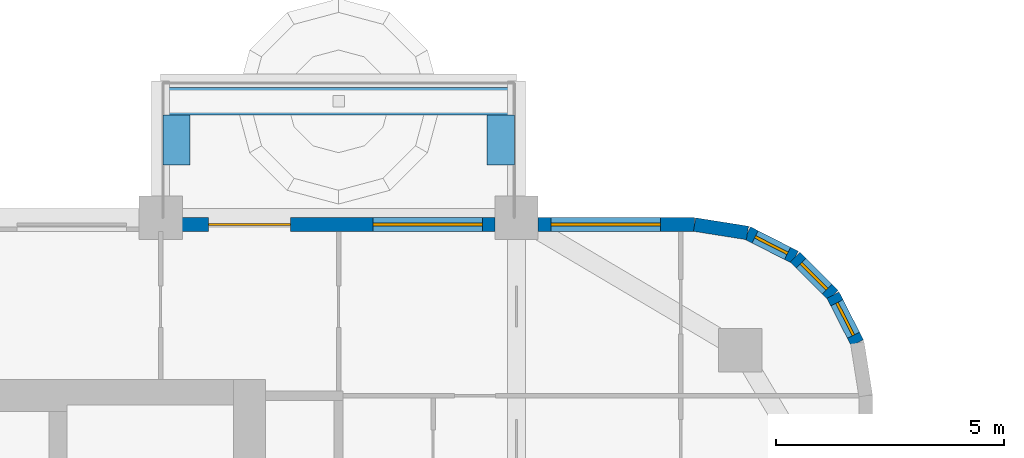
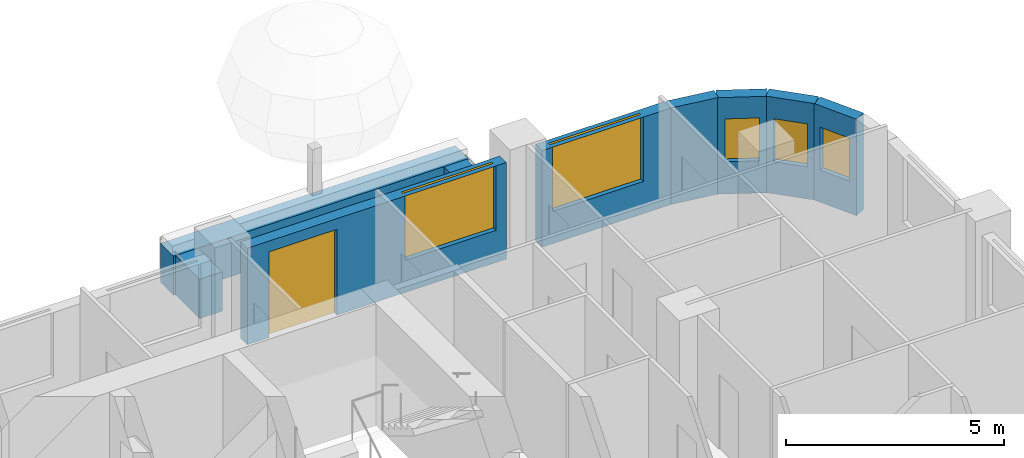
# One storey, part 14 of 19: 9 walls, 5 windows, 1 door, 6 openings.
"""IFC4 building model written with IfcOpenShell, lengths in metres."""

from ifc_helpers import new_model, si_unit, direction, frame, frame_2d, origin, place, context, subcontext, project, spatial, rectangle, extrude, material, layer, layer_set, type_object, element, fill, save


model = new_model("IFC4")

# Units and contexts
model_context = context("Model", 3, precision=1e-05, world=origin(), true_north=direction((0.0, 1.0)))
body_context = subcontext(model_context, "Body", "Model", "MODEL_VIEW")
ifc_project = project(units=[si_unit("LENGTHUNIT", "METRE"), si_unit("AREAUNIT", "SQUARE_METRE"), si_unit("VOLUMEUNIT", "CUBIC_METRE"), si_unit("PLANEANGLEUNIT", "RADIAN"), si_unit("MASSUNIT", "GRAM", prefix="KILO")], contexts=[model_context])

# Site, building, storey
site_placement = place(None, origin())
site = spatial("IfcSite", under=ifc_project, at=site_placement, CompositionType="ELEMENT")
building_placement = place(site_placement, origin())
building = spatial("IfcBuilding", under=site, at=building_placement, Name="Ludao Terraces", CompositionType="ELEMENT")
storey_placement = place(building_placement, frame((0.0, 0.0, 68.199951171875)))
storey = spatial("IfcBuildingStorey", under=building, at=storey_placement, Name="L18", CompositionType="ELEMENT", Elevation=68.199951171875)

# Walls
ifc_material_1 = material(Name="Concrete C40", Category="concrete")
ifc_layer_1 = layer(ifc_material_1, 0.60009765625)
ifc_layer_set_1 = layer_set([ifc_layer_1], Name="ENV Planter trough 600")
wall_type_1 = type_object("IfcWallType", Name="ENV Planter trough 600", PredefinedType="USERDEFINED", material=ifc_layer_set_1)
wall_1_placement = place(storey_placement, frame((92.800048828125, 90.949951171875, 0.0), z_axis=(0.0, 0.0, 1.0), x_axis=(1.0, 0.0, 0.0)))
element("IfcWall", 1, at=wall_1_placement, inside=storey, type_object=wall_type_1, Name="PL-L18-N4", ObjectType="PLANTER", PredefinedType="USERDEFINED", context=body_context, shape_type="SweptSolid", body=[
    extrude(rectangle(XDim=7.800048828125, YDim=0.60009765625, at=frame_2d((3.89990234375, 0.0))), origin(), (0.0, 0.0, 1.0), 1.10009765625),
])
for number, where, z_axis, x_axis, name in (
    (2, (93.14990234375, 90.64990234375, 0.0), (0.0, 0.0, 1.0), (0.0, -1.0, 0.0), "PL-L18-N4-SA"),
    (3, (100.25, 90.64990234375, 0.0), (0.0, 0.0, 1.0), (0.0, -1.0, 0.0), "PL-L18-N4-SB"),
):
    element("IfcWall", number, at=place(storey_placement, frame(where, z_axis=z_axis, x_axis=x_axis)), inside=storey, type_object=wall_type_1, Name=name, ObjectType="PLANTER", PredefinedType="USERDEFINED", context=body_context, shape_type="SweptSolid", body=[
        extrude(rectangle(XDim=1.099853515625, YDim=0.60009765625, at=frame_2d((0.5498046875, 0.0))), origin(), (0.0, 0.0, 1.0), 1.10009765625),
    ])

# Wall, openings, door, window
ifc_material_2 = material(Name="Granite cladding", Category="masonry")
ifc_layer_2 = layer(ifc_material_2, 0.0400390625, Category="stone")
ifc_material_3 = material(Name="Mineral wool")
ifc_layer_3 = layer(ifc_material_3, 0.06005859375)
ifc_layer_4 = layer(ifc_material_1, 0.199951171875, Category="concrete")
ifc_layer_set_2 = layer_set([ifc_layer_2, ifc_layer_3, ifc_layer_4], Name="ENV Stone-clad wall 300")
wall_type_2 = type_object("IfcWallType", Name="ENV Stone-clad wall 300", PredefinedType="SOLIDWALL", material=ifc_layer_set_2)
wall_2_placement = place(storey_placement, frame((93.27490234375, 88.25, 0.0), z_axis=(0.0, 0.0, 1.0), x_axis=(1.0, 0.0, 0.0)))
wall_2 = element("IfcWall", 4, at=wall_2_placement, inside=storey, type_object=wall_type_2, Name="EW-L18-N5", PredefinedType="SOLIDWALL", context=body_context, shape_type="SweptSolid", body=[
    extrude(rectangle(XDim=6.85009765625, YDim=0.300048828125, at=frame_2d((3.425048828125, 0.0))), origin(), (0.0, 0.0, 1.0), 2.699951171875),
])
opening_1_placement = place(wall_2_placement, frame((0.574951171875, 0.0, 0.0)))
opening_1 = element("IfcOpeningElement", 5, at=opening_1_placement, cuts=wall_2, Name="Opening BD", PredefinedType="OPENING", context=body_context, shape_type="SweptSolid", body=[
    extrude(rectangle(XDim=1.800048828125, YDim=2.39990234375, at=frame_2d((0.89990234375, 1.199951171875))), frame((0.0, 0.16015625, 0.0), z_axis=(0.0, -1.0, 0.0), x_axis=(1.0, 0.0, 0.0)), (0.0, 0.0, 1.0), 0.320068359375),
])
opening_2_placement = place(wall_2_placement, frame((4.175048828125, 0.0, 0.89990234375)))
opening_2 = element("IfcOpeningElement", 6, at=opening_2_placement, cuts=wall_2, Name="Opening W1", PredefinedType="OPENING", context=body_context, shape_type="SweptSolid", body=[
    extrude(rectangle(XDim=2.39990234375, YDim=1.800048828125, at=frame_2d((1.199951171875, 0.89990234375))), frame((0.0, 0.16015625, 0.0), z_axis=(0.0, -1.0, 0.0), x_axis=(1.0, 0.0, 0.0)), (0.0, 0.0, 1.0), 0.320068359375),
])
ifc_material_4 = material(Name="Aluminium glazed door", Category="aluminium")
ifc_layer_5 = layer(ifc_material_4, 0.06005859375)
ifc_layer_set_3 = layer_set([ifc_layer_5], Name="ENV Balcony door BD 1800x2400")
door_type = type_object("IfcDoorType", Name="ENV Balcony door BD 1800x2400", OperationType="DOUBLE_DOOR_SINGLE_SWING", PredefinedType="DOOR", material=ifc_layer_set_3)
door_placement = place(opening_1_placement, origin())
door = element("IfcDoor", 7, at=door_placement, inside=storey, type_object=door_type, Name="BD-L18-N5-1", OperationType="DOUBLE_DOOR_SINGLE_SWING", OverallHeight=2.39990234375, OverallWidth=1.800048828125, PredefinedType="DOOR", context=body_context, shape_type="SweptSolid", body=[
    extrude(rectangle(XDim=1.800048828125, YDim=2.39990234375, at=frame_2d((0.89990234375, 1.199951171875))), frame((0.0, 0.02490234375, 0.0), z_axis=(0.0, -1.0, 0.0), x_axis=(1.0, 0.0, 0.0)), (0.0, 0.0, 1.0), 0.050048828125),
])
fill(opening_1, door)
ifc_material_5 = material(Name="Clear glass in aluminium frame", Category="aluminium")
ifc_layer_6 = layer(ifc_material_5, 0.06005859375)
ifc_layer_set_4 = layer_set([ifc_layer_6], Name="ENV Window W1 2400x1800")
window_type_1 = type_object("IfcWindowType", Name="ENV Window W1 2400x1800", PartitioningType="DOUBLE_PANEL_VERTICAL", PredefinedType="WINDOW", material=ifc_layer_set_4)
window_1_placement = place(opening_2_placement, origin())
window_1 = element("IfcWindow", 8, at=window_1_placement, inside=storey, type_object=window_type_1, Name="W-L18-N5-2", OverallHeight=1.800048828125, OverallWidth=2.39990234375, PartitioningType="DOUBLE_PANEL_VERTICAL", PredefinedType="WINDOW", context=body_context, shape_type="SweptSolid", body=[
    extrude(rectangle(XDim=2.39990234375, YDim=1.800048828125, at=frame_2d((1.199951171875, 0.89990234375))), frame((0.0, 0.030029296875, 0.0), z_axis=(0.0, -1.0, 0.0), x_axis=(1.0, 0.0, 0.0)), (0.0, 0.0, 1.0), 0.06005859375),
])
fill(opening_2, window_1)

# Wall, opening, window
wall_3_placement = place(storey_placement, frame((101.074951171875, 88.25, 0.0), z_axis=(0.0, 0.0, 1.0), x_axis=(1.0, 0.0, 0.0)))
wall_3 = element("IfcWall", 9, at=wall_3_placement, inside=storey, type_object=wall_type_2, Name="EW-L18-N6", PredefinedType="SOLIDWALL", context=body_context, shape_type="SweptSolid", body=[
    extrude(rectangle(XDim=3.425048828125, YDim=0.300048828125, at=frame_2d((1.71240234375, 0.0))), origin(), (0.0, 0.0, 1.0), 2.699951171875),
])
opening_3_placement = place(wall_3_placement, frame((0.27490234375, 0.0, 0.89990234375)))
opening_3 = element("IfcOpeningElement", 10, at=opening_3_placement, cuts=wall_3, Name="Opening W1", PredefinedType="OPENING", context=body_context, shape_type="SweptSolid", body=[
    extrude(rectangle(XDim=2.39990234375, YDim=1.800048828125, at=frame_2d((1.199951171875, 0.89990234375))), frame((0.0, 0.16015625, 0.0), z_axis=(0.0, -1.0, 0.0), x_axis=(1.0, 0.0, 0.0)), (0.0, 0.0, 1.0), 0.320068359375),
])
window_2_placement = place(opening_3_placement, origin())
window_2 = element("IfcWindow", 11, at=window_2_placement, inside=storey, type_object=window_type_1, Name="W-L18-N6-1", OverallHeight=1.800048828125, OverallWidth=2.39990234375, PartitioningType="DOUBLE_PANEL_VERTICAL", PredefinedType="WINDOW", context=body_context, shape_type="SweptSolid", body=[
    extrude(rectangle(XDim=2.39990234375, YDim=1.800048828125, at=frame_2d((1.199951171875, 0.89990234375))), frame((0.0, 0.030029296875, 0.0), z_axis=(0.0, -1.0, 0.0), x_axis=(1.0, 0.0, 0.0)), (0.0, 0.0, 1.0), 0.06005859375),
])
fill(opening_3, window_2)

wall_4_placement = place(storey_placement, frame((108.06640625, 85.65869140625, 0.0), z_axis=(0.0, 0.0, 1.0), x_axis=(-0.454025524128, 0.890988677504, 0.0)))
wall_4 = element("IfcWall", 12, at=wall_4_placement, inside=storey, type_object=wall_type_2, Name="EW-L18-NE2", PredefinedType="SOLIDWALL", context=body_context, shape_type="SweptSolid", body=[
    extrude(rectangle(XDim=1.17333984375, YDim=0.300048828125, at=frame_2d((0.586669921875, 0.0))), origin(), (0.0, 0.0, 1.0), 2.699951171875),
])
opening_4_placement = place(wall_4_placement, frame((0.1865234375, 0.0, 0.89990234375)))
opening_4 = element("IfcOpeningElement", 13, at=opening_4_placement, cuts=wall_4, Name="Opening W3", PredefinedType="OPENING", context=body_context, shape_type="SweptSolid", body=[
    extrude(rectangle(XDim=0.800048828125, YDim=1.199951171875, at=frame_2d((0.39990234375, 0.60009765625))), frame((0.0, 0.16015625, 0.0), z_axis=(0.0, -1.0, 0.0), x_axis=(1.0, 0.0, 0.0)), (0.0, 0.0, 1.0), 0.320068359375),
])
ifc_layer_7 = layer(ifc_material_5, 0.06005859375)
ifc_layer_set_5 = layer_set([ifc_layer_7], Name="ENV Window W3 800x1200")
window_type_2 = type_object("IfcWindowType", Name="ENV Window W3 800x1200", PartitioningType="SINGLE_PANEL", PredefinedType="WINDOW", material=ifc_layer_set_5)
window_3_placement = place(opening_4_placement, origin())
window_3 = element("IfcWindow", 14, at=window_3_placement, inside=storey, type_object=window_type_2, Name="W-L18-NE2", OverallHeight=1.199951171875, OverallWidth=0.800048828125, PartitioningType="SINGLE_PANEL", PredefinedType="WINDOW", context=body_context, shape_type="SweptSolid", body=[
    extrude(rectangle(XDim=0.800048828125, YDim=1.199951171875, at=frame_2d((0.39990234375, 0.60009765625))), frame((0.0, 0.030029296875, 0.0), z_axis=(0.0, -1.0, 0.0), x_axis=(1.0, 0.0, 0.0)), (0.0, 0.0, 1.0), 0.06005859375),
])
fill(opening_4, window_3)

wall_5_placement = place(storey_placement, frame((107.53369140625, 86.7041015625, 0.0), z_axis=(0.0, 0.0, 1.0), x_axis=(-0.707106781187, 0.707106781187, 0.0)))
wall_5 = element("IfcWall", 15, at=wall_5_placement, inside=storey, type_object=wall_type_2, Name="EW-L18-NE3", PredefinedType="SOLIDWALL", context=body_context, shape_type="SweptSolid", body=[
    extrude(rectangle(XDim=1.173095703125, YDim=0.300048828125, at=frame_2d((0.58642578125, 0.0))), origin(), (0.0, 0.0, 1.0), 2.699951171875),
])
opening_5_placement = place(wall_5_placement, frame((0.1865234375, 0.0, 0.89990234375)))
opening_5 = element("IfcOpeningElement", 16, at=opening_5_placement, cuts=wall_5, Name="Opening W3", PredefinedType="OPENING", context=body_context, shape_type="SweptSolid", body=[
    extrude(rectangle(XDim=0.800048828125, YDim=1.199951171875, at=frame_2d((0.39990234375, 0.60009765625))), frame((0.0, 0.16015625, 0.0), z_axis=(0.0, -1.0, 0.0), x_axis=(1.0, 0.0, 0.0)), (0.0, 0.0, 1.0), 0.320068359375),
])
window_4_placement = place(opening_5_placement, origin())
window_4 = element("IfcWindow", 17, at=window_4_placement, inside=storey, type_object=window_type_2, Name="W-L18-NE3", OverallHeight=1.199951171875, OverallWidth=0.800048828125, PartitioningType="SINGLE_PANEL", PredefinedType="WINDOW", context=body_context, shape_type="SweptSolid", body=[
    extrude(rectangle(XDim=0.800048828125, YDim=1.199951171875, at=frame_2d((0.39990234375, 0.60009765625))), frame((0.0, 0.030029296875, 0.0), z_axis=(0.0, -1.0, 0.0), x_axis=(1.0, 0.0, 0.0)), (0.0, 0.0, 1.0), 0.06005859375),
])
fill(opening_5, window_4)

wall_6_placement = place(storey_placement, frame((106.7041015625, 87.53369140625, 0.0), z_axis=(0.0, 0.0, 1.0), x_axis=(-0.890988677504, 0.454025524128, 0.0)))
wall_6 = element("IfcWall", 18, at=wall_6_placement, inside=storey, type_object=wall_type_2, Name="EW-L18-NE4", PredefinedType="SOLIDWALL", context=body_context, shape_type="SweptSolid", body=[
    extrude(rectangle(XDim=1.17333984375, YDim=0.300048828125, at=frame_2d((0.586669921875, 0.0))), origin(), (0.0, 0.0, 1.0), 2.699951171875),
])
opening_6_placement = place(wall_6_placement, frame((0.1865234375, 0.0, 0.89990234375)))
opening_6 = element("IfcOpeningElement", 19, at=opening_6_placement, cuts=wall_6, Name="Opening W3", PredefinedType="OPENING", context=body_context, shape_type="SweptSolid", body=[
    extrude(rectangle(XDim=0.800048828125, YDim=1.199951171875, at=frame_2d((0.39990234375, 0.60009765625))), frame((0.0, 0.16015625, 0.0), z_axis=(0.0, -1.0, 0.0), x_axis=(1.0, 0.0, 0.0)), (0.0, 0.0, 1.0), 0.320068359375),
])
window_5_placement = place(opening_6_placement, origin())
window_5 = element("IfcWindow", 20, at=window_5_placement, inside=storey, type_object=window_type_2, Name="W-L18-NE4", OverallHeight=1.199951171875, OverallWidth=0.800048828125, PartitioningType="SINGLE_PANEL", PredefinedType="WINDOW", context=body_context, shape_type="SweptSolid", body=[
    extrude(rectangle(XDim=0.800048828125, YDim=1.199951171875, at=frame_2d((0.39990234375, 0.60009765625))), frame((0.0, 0.030029296875, 0.0), z_axis=(0.0, -1.0, 0.0), x_axis=(1.0, 0.0, 0.0)), (0.0, 0.0, 1.0), 0.06005859375),
])
fill(opening_6, window_5)

# Wall
wall_7_placement = place(storey_placement, frame((105.65869140625, 88.06640625, 0.0), z_axis=(0.0, 0.0, 1.0), x_axis=(-0.987678452879, 0.156496880861, 0.0)))
element("IfcWall", 21, at=wall_7_placement, inside=storey, type_object=wall_type_2, Name="EW-L18-NE5", PredefinedType="SOLIDWALL", context=body_context, shape_type="SweptSolid", body=[
    extrude(rectangle(XDim=1.173095703125, YDim=0.300048828125, at=frame_2d((0.58642578125, 0.0))), origin(), (0.0, 0.0, 1.0), 2.699951171875),
])

save(model, "model.ifc")
